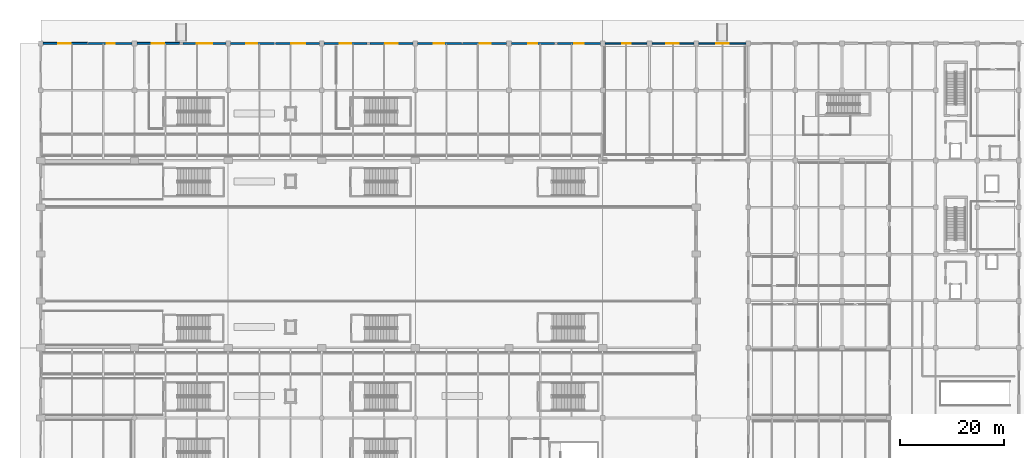
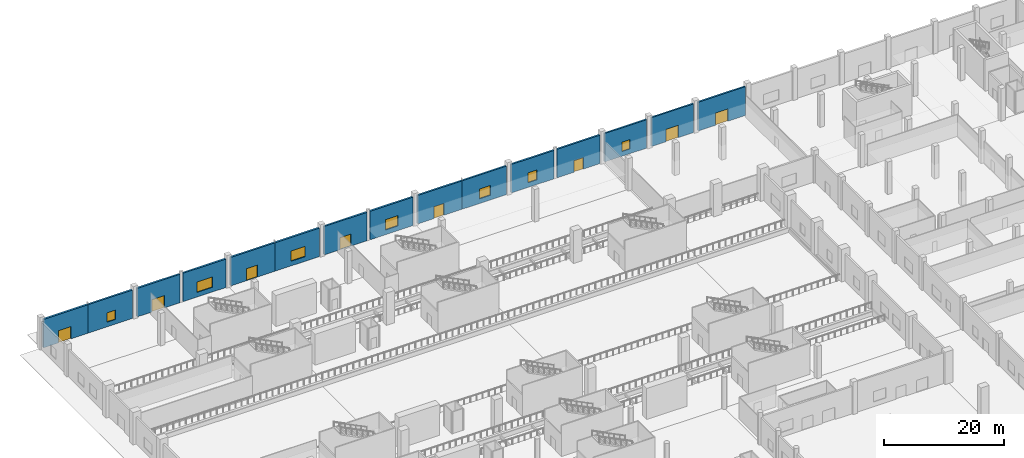
# One storey, part 28 of 65: 15 walls, 8 doors, 7 windows, 15 openings.
"""IFC4 building model written with IfcOpenShell, lengths in metres."""

import ifcopenshell
import ifcopenshell.guid

model = None  # the IFC model being written
_history = None  # IfcOwnerHistory: only IFC2X3 demands one
_inside = {}  # id of a spatial element -> (the spatial element, [elements in it])
_under = {}  # id of a project, library or spatial element -> (it, [spatial elements below it])
_declared = {}  # id of a project -> (the project, [libraries it declares])
_typed = {}  # id of a type object -> (the type object, [elements of that type])
_made_of = {}  # id of a material, layer set ... -> (it, [elements and type objects made of it])


def new_model(schema):
    """Start an empty IFC model of exactly this schema.

    Asked for "IFC4X3", IfcOpenShell would pick the latest addendum, in which some entities
    have other attributes; the version numbers below select the first issue.
    IFC2X3 requires an IfcOwnerHistory on every rooted entity: one is made here for all.
    """
    global model, _history
    if schema == "IFC4X3":
        model = ifcopenshell.file(schema_version=(4, 3, 0, 0))
    else:
        model = ifcopenshell.file(schema=schema)
    _inside.clear()
    _under.clear()
    _declared.clear()
    _typed.clear()
    _made_of.clear()
    _history = None
    if model.schema == "IFC2X3":
        org = make("IfcOrganization", Name="unknown")
        user = make(
            "IfcPersonAndOrganization",
            ThePerson=make("IfcPerson", FamilyName="unknown"),
            TheOrganization=org,
        )
        app = make(
            "IfcApplication",
            ApplicationDeveloper=org,
            Version="unknown",
            ApplicationFullName="unknown",
            ApplicationIdentifier="unknown",
        )
        _history = make(
            "IfcOwnerHistory",
            OwningUser=user,
            OwningApplication=app,
            ChangeAction="ADDED",
            CreationDate=0,
        )
    return model


def make(cls, **values):
    """One entity of the class cls with the attributes given. An attribute that is None is left unset."""
    return model.create_entity(
        cls, **{name: value for name, value in values.items() if value is not None}
    )


def rooted(cls, **values):
    """An entity with a GlobalId (a new one), such as an element, a storey or a relation."""
    return make(cls, GlobalId=ifcopenshell.guid.new(), OwnerHistory=_history, **values)


def si_unit(unit_type, name, prefix=None):
    """IfcSIUnit, for example si_unit("LENGTHUNIT", "METRE", prefix="MILLI")."""
    return make("IfcSIUnit", UnitType=unit_type, Prefix=prefix, Name=name)


def assignment(units):
    """IfcUnitAssignment: the units of a project."""
    return None if units is None else make("IfcUnitAssignment", Units=units)


def point(xyz):
    """IfcCartesianPoint."""
    return None if xyz is None else make("IfcCartesianPoint", Coordinates=xyz)


def direction(xyz):
    """IfcDirection."""
    return None if xyz is None else make("IfcDirection", DirectionRatios=xyz)


def frame(location, z_axis=None, x_axis=None):
    """IfcAxis2Placement3D, a coordinate frame: its origin and axes. An axis left out is left unset."""
    return make(
        "IfcAxis2Placement3D",
        Location=point(location),
        Axis=direction(z_axis),
        RefDirection=direction(x_axis),
    )


def frame_2d(location, x_axis=None):
    """IfcAxis2Placement2D, a coordinate frame in the plane: its origin and x axis."""
    return make(
        "IfcAxis2Placement2D", Location=point(location), RefDirection=direction(x_axis)
    )


def origin():
    """The frame at (0, 0, 0) with its axes left unset."""
    return frame((0.0, 0.0, 0.0))


def place(relative_to, where):
    """IfcLocalPlacement: puts the frame where relative to a parent placement (None: the world)."""
    return make(
        "IfcLocalPlacement", PlacementRelTo=relative_to, RelativePlacement=where
    )


def context(
    kind, dimensions, precision=None, world=None, true_north=None, identifier=None
):
    """IfcGeometricRepresentationContext, for example the 3D "Model" context."""
    return make(
        "IfcGeometricRepresentationContext",
        ContextIdentifier=identifier,
        ContextType=kind,
        CoordinateSpaceDimension=dimensions,
        Precision=precision,
        WorldCoordinateSystem=world,
        TrueNorth=true_north,
    )


def subcontext(parent, identifier, kind, view, scale=None):
    """IfcGeometricRepresentationSubContext, for example "Body" below "Model"."""
    return make(
        "IfcGeometricRepresentationSubContext",
        ContextIdentifier=identifier,
        ContextType=kind,
        ParentContext=parent,
        TargetScale=scale,
        TargetView=view,
    )


def project(units=None, contexts=None):
    """IfcProject with its units and contexts."""
    return rooted(
        "IfcProject",
        Name="project",
        RepresentationContexts=contexts,
        UnitsInContext=assignment(units),
    )


def spatial(cls, under=None, at=None, **own):
    """A site, building, storey or space (cls), placed at a placement, below another one or the project."""
    s = rooted(cls, ObjectPlacement=at, **own)
    if under is not None:
        _under.setdefault(under.id(), (under, []))[1].append(s)
    return s


def profile(cls, at=None, kind="AREA", **sizes):
    """A parametric profile (cls). Its sizes go by their IFC names, for example OverallWidth=200.0."""
    return make(cls, ProfileType=kind, Position=at, **sizes)


def rectangle(**sizes):
    """IfcRectangleProfileDef."""
    return profile("IfcRectangleProfileDef", **sizes)


def extrude(swept, where, along, depth):
    """IfcExtrudedAreaSolid: the profile swept, set in the frame where, extruded along a direction by depth."""
    return make(
        "IfcExtrudedAreaSolid",
        SweptArea=swept,
        Position=where,
        ExtrudedDirection=direction(along),
        Depth=depth,
    )


def shape(context_of_items, identifier, shape_type, items):
    """IfcShapeRepresentation: the items that make up one representation, for example the "Body"."""
    return make(
        "IfcShapeRepresentation",
        ContextOfItems=context_of_items,
        RepresentationIdentifier=identifier,
        RepresentationType=shape_type,
        Items=items,
    )


def material(Name=None, Category=None):
    """IfcMaterial."""
    return make("IfcMaterial", Name=Name, Category=Category)


def layer(
    of_material, thickness, ventilated=None, Name=None, Category=None, Priority=None
):
    """IfcMaterialLayer: one layer of a wall or slab, of a material (None: an air gap)."""
    return make(
        "IfcMaterialLayer",
        Material=of_material,
        LayerThickness=thickness,
        IsVentilated=ventilated,
        Name=Name,
        Category=Category,
        Priority=Priority,
    )


def layer_set(layers, Name=None):
    """IfcMaterialLayerSet."""
    return make("IfcMaterialLayerSet", MaterialLayers=layers, LayerSetName=Name)


def made_of(thing, what):
    """Note that an element or type object is made of a material, layer set ...; save() writes the relation."""
    if what is not None:
        _made_of.setdefault(what.id(), (what, []))[1].append(thing)
    return thing


def type_object(cls, material=None, **own):
    """A type object (cls), such as IfcWallType, which elements share."""
    return made_of(rooted(cls, **own), material)


def element(
    cls,
    number,
    at=None,
    inside=None,
    cuts=None,
    type_object=None,
    material=None,
    context=None,
    identifier="Body",
    shape_type=None,
    held_by="IfcProductDefinitionShape",
    body=None,
    shapes=None,
    **own,
):
    """One element of the class cls, such as IfcWall. Its Tag is "e" and its number.

    at: its placement. inside: the storey or other place that contains it. cuts: it is an
    opening in that element (IfcRelVoidsElement). A single representation is given by context,
    identifier, shape_type and body (its items); several are given by shapes. held_by: the class
    of the entity that holds the representations. save() writes the other relations.
    """
    e = rooted(cls, Tag="e%d" % number, ObjectPlacement=at, **own)
    if body is not None:
        shapes = [shape(context, identifier, shape_type, body)]
    if shapes is not None:
        e.Representation = make(held_by, Representations=shapes)
    if inside is not None:
        _inside.setdefault(inside.id(), (inside, []))[1].append(e)
    if cuts is not None:
        rooted(
            "IfcRelVoidsElement", RelatingBuildingElement=cuts, RelatedOpeningElement=e
        )
    if type_object is not None:
        _typed.setdefault(type_object.id(), (type_object, []))[1].append(e)
    return made_of(e, material)


def fill(opening, filler):
    """IfcRelFillsElement: the door or window that sits in an opening."""
    return rooted(
        "IfcRelFillsElement",
        RelatingOpeningElement=opening,
        RelatedBuildingElement=filler,
    )


def aggregate(whole, parts):
    """IfcRelAggregates: a whole, such as a stair, and the parts it consists of."""
    return rooted("IfcRelAggregates", RelatingObject=whole, RelatedObjects=parts)


def save(model, path):
    """Write the relations noted so far, then the file.

    IfcRelAggregates (storeys below a building ...), IfcRelContainedInSpatialStructure (elements
    in a storey), IfcRelDefinesByType, IfcRelAssociatesMaterial and IfcRelDeclares: one each for
    every whole, place, type object, material and project.
    """
    for whole, parts in _under.values():
        aggregate(whole, parts)
    for where, things in _inside.values():
        rooted(
            "IfcRelContainedInSpatialStructure",
            RelatedElements=things,
            RelatingStructure=where,
        )
    for kind, things in _typed.values():
        rooted("IfcRelDefinesByType", RelatedObjects=things, RelatingType=kind)
    for what, things in _made_of.values():
        rooted("IfcRelAssociatesMaterial", RelatedObjects=things, RelatingMaterial=what)
    for by, libraries in _declared.values():
        rooted("IfcRelDeclares", RelatingContext=by, RelatedDefinitions=libraries)
    model.write(path)


model = new_model("IFC4")

# Units and contexts
model_context = context("Model", 3, precision=1e-05, world=origin(), true_north=direction((0.0, 1.0)))
body_context = subcontext(model_context, "Body", "Model", "MODEL_VIEW")
ifc_project = project(units=[si_unit("LENGTHUNIT", "METRE"), si_unit("AREAUNIT", "SQUARE_METRE"), si_unit("VOLUMEUNIT", "CUBIC_METRE"), si_unit("PLANEANGLEUNIT", "RADIAN"), si_unit("MASSUNIT", "GRAM", prefix="KILO")], contexts=[model_context])

# Site, building, storey
site_placement = place(None, origin())
site = spatial("IfcSite", under=ifc_project, at=site_placement, CompositionType="ELEMENT")
building_placement = place(site_placement, origin())
building = spatial("IfcBuilding", under=site, at=building_placement, Name="Chuanluo Vaults Station", CompositionType="ELEMENT")
storey_placement = place(building_placement, origin())
storey = spatial("IfcBuildingStorey", under=building, at=storey_placement, Name="L00", CompositionType="ELEMENT", Elevation=0.0)

# Wall, opening, window
ifc_material_1 = material(Name="Concrete C40", Category="concrete")
ifc_layer_1 = layer(ifc_material_1, 0.320068359375)
ifc_layer_set_1 = layer_set([ifc_layer_1], Name="Concrete C40")
wall_type_1 = type_object("IfcWallType", Name="WL-EXT-320", PredefinedType="SOLIDWALL", material=ifc_layer_set_1)
wall_1_placement = place(storey_placement, frame((108.449951171875, 126.0, 0.0), z_axis=(0.0, 0.0, 1.0), x_axis=(1.0, 0.0, 0.0)))
wall_1 = element("IfcWall", 1, at=wall_1_placement, inside=storey, type_object=wall_type_1, Name="North streetwall 7A", PredefinedType="SOLIDWALL", context=body_context, shape_type="SweptSolid", body=[
    extrude(rectangle(XDim=8.10009765625, YDim=0.320068359375, at=frame_2d((4.050048828125, 0.0))), origin(), (0.0, 0.0, 1.0), 5.7900390625),
])
opening_1_placement = place(wall_1_placement, frame((3.300048828125, 0.0, 0.949951171875)))
opening_1 = element("IfcOpeningElement", 2, at=opening_1_placement, cuts=wall_1, Name="Opening W-21", PredefinedType="OPENING", context=body_context, shape_type="SweptSolid", body=[
    extrude(rectangle(XDim=1.60009765625, YDim=1.89990234375, at=frame_2d((0.800048828125, 0.949951171875))), frame((0.0, 0.17016, 0.0), z_axis=(0.0, -1.0, 0.0), x_axis=(1.0, 0.0, 0.0)), (0.0, 0.0, 1.0), 0.34007),
])
ifc_material_2 = material(Name="Double-silver Low-E laminated glass", Category="glass")
window_type_1 = type_object("IfcWindowType", Name="WN-RET-1600x1900", PartitioningType="SINGLE_PANEL", PredefinedType="WINDOW", material=ifc_material_2)
window_1_placement = place(opening_1_placement, origin())
window_1 = element("IfcWindow", 3, at=window_1_placement, inside=storey, type_object=window_type_1, Name="W-030 Ground streetwall window", OverallHeight=1.89990234375, OverallWidth=1.60009765625, PartitioningType="SINGLE_PANEL", PredefinedType="WINDOW", context=body_context, shape_type="SweptSolid", body=[
    extrude(rectangle(XDim=1.60009765625, YDim=1.89990234375, at=frame_2d((0.800048828125, 0.949951171875))), frame((0.0, 0.030029296875, 0.0), z_axis=(0.0, -1.0, 0.0), x_axis=(1.0, 0.0, 0.0)), (0.0, 0.0, 1.0), 0.06005859375),
])
fill(opening_1, window_1)

# Wall, opening, door
wall_2_placement = place(storey_placement, frame((117.449951171875, 126.0, 0.0), z_axis=(0.0, 0.0, 1.0), x_axis=(1.0, 0.0, 0.0)))
wall_2 = element("IfcWall", 4, at=wall_2_placement, inside=storey, type_object=wall_type_1, Name="North streetwall 7B", PredefinedType="SOLIDWALL", context=body_context, shape_type="SweptSolid", body=[
    extrude(rectangle(XDim=8.10009765625, YDim=0.320068359375, at=frame_2d((4.050048828125, 0.0))), origin(), (0.0, 0.0, 1.0), 5.85498046875),
])
opening_2_placement = place(wall_2_placement, frame((2.800048828125, 0.0, 0.0)))
opening_2 = element("IfcOpeningElement", 5, at=opening_2_placement, cuts=wall_2, Name="Opening D-E04", PredefinedType="OPENING", context=body_context, shape_type="SweptSolid", body=[
    extrude(rectangle(XDim=2.39990234375, YDim=2.5, at=frame_2d((1.199951171875, 1.25))), frame((0.0, 0.17016, 0.0), z_axis=(0.0, -1.0, 0.0), x_axis=(1.0, 0.0, 0.0)), (0.0, 0.0, 1.0), 0.34007),
])
ifc_material_3 = material(Name="Anodised aluminium 6063-T6", Category="aluminium")
door_type_1 = type_object("IfcDoorType", Name="DR-EXT-2400x2500", OperationType="NOTDEFINED", PredefinedType="DOOR", material=ifc_material_3)
door_1_placement = place(opening_2_placement, origin())
door_1 = element("IfcDoor", 6, at=door_1_placement, inside=storey, type_object=door_type_1, Name="D-029 North streetwall 7B exit door", OperationType="SINGLE_SWING_LEFT", OverallHeight=2.5, OverallWidth=2.39990234375, PredefinedType="DOOR", context=body_context, shape_type="SweptSolid", body=[
    extrude(rectangle(XDim=2.39990234375, YDim=2.5, at=frame_2d((1.199951171875, 1.25))), frame((0.0, 0.02490234375, 0.0), z_axis=(0.0, -1.0, 0.0), x_axis=(1.0, 0.0, 0.0)), (0.0, 0.0, 1.0), 0.050048828125),
])
fill(opening_2, door_1)

wall_3_placement = place(storey_placement, frame((126.449951171875, 126.0, 0.0), z_axis=(0.0, 0.0, 1.0), x_axis=(1.0, 0.0, 0.0)))
wall_3 = element("IfcWall", 7, at=wall_3_placement, inside=storey, type_object=wall_type_1, Name="North passage header wall", PredefinedType="SOLIDWALL", context=body_context, shape_type="SweptSolid", body=[
    extrude(rectangle(XDim=9.10009765625, YDim=0.320068359375, at=frame_2d((4.550048828125, 0.0))), origin(), (0.0, 0.0, 1.0), 5.85498046875),
])
opening_3_placement = place(wall_3_placement, frame((3.35009765625, 0.0, 0.0)))
opening_3 = element("IfcOpeningElement", 8, at=opening_3_placement, cuts=wall_3, Name="Opening D-E04", PredefinedType="OPENING", context=body_context, shape_type="SweptSolid", body=[
    extrude(rectangle(XDim=2.39990234375, YDim=2.5, at=frame_2d((1.199951171875, 1.25))), frame((0.0, 0.17016, 0.0), z_axis=(0.0, -1.0, 0.0), x_axis=(1.0, 0.0, 0.0)), (0.0, 0.0, 1.0), 0.34007),
])
door_2_placement = place(opening_3_placement, origin())
door_2 = element("IfcDoor", 9, at=door_2_placement, inside=storey, type_object=door_type_1, Name="D-030 North passage header wall exit door", OperationType="SINGLE_SWING_RIGHT", OverallHeight=2.5, OverallWidth=2.39990234375, PredefinedType="DOOR", context=body_context, shape_type="SweptSolid", body=[
    extrude(rectangle(XDim=2.39990234375, YDim=2.5, at=frame_2d((1.199951171875, 1.25))), frame((0.0, 0.02490234375, 0.0), z_axis=(0.0, -1.0, 0.0), x_axis=(1.0, 0.0, 0.0)), (0.0, 0.0, 1.0), 0.050048828125),
])
fill(opening_3, door_2)

ifc_material_4 = material(Name="Concrete C50", Category="concrete")
ifc_layer_2 = layer(ifc_material_4, 0.340087890625)
ifc_layer_set_2 = layer_set([ifc_layer_2], Name="Concrete C50")
wall_type_2 = type_object("IfcWallType", Name="WL-EXT-340", PredefinedType="SOLIDWALL", material=ifc_layer_set_2)
wall_4_placement = place(storey_placement, frame((72.449951171875, 126.0, 0.0), z_axis=(0.0, 0.0, 1.0), x_axis=(1.0, 0.0, 0.0)))
wall_4 = element("IfcWall", 10, at=wall_4_placement, inside=storey, type_object=wall_type_2, Name="North streetwall 5A", PredefinedType="SOLIDWALL", context=body_context, shape_type="SweptSolid", body=[
    extrude(rectangle(XDim=8.546142578125, YDim=0.340087890625, at=frame_2d((4.27294921875, 0.0))), origin(), (0.0, 0.0, 1.0), 5.7900390625),
])
opening_4_placement = place(wall_4_placement, frame((3.10009765625, 0.0, 0.0)))
opening_4 = element("IfcOpeningElement", 11, at=opening_4_placement, cuts=wall_4, Name="Opening D-E06", PredefinedType="OPENING", context=body_context, shape_type="SweptSolid", body=[
    extrude(rectangle(XDim=2.0, YDim=2.39990234375, at=frame_2d((1.0, 1.199951171875))), frame((0.0, 0.17992, 0.0), z_axis=(0.0, -1.0, 0.0), x_axis=(1.0, 0.0, 0.0)), (0.0, 0.0, 1.0), 0.36009),
])
ifc_material_5 = material(Name="Anodised aluminium 6063-T6", Category="aluminium")
door_type_2 = type_object("IfcDoorType", Name="DR-EXT-2000x2400", OperationType="NOTDEFINED", PredefinedType="DOOR", material=ifc_material_5)
door_3_placement = place(opening_4_placement, origin())
door_3 = element("IfcDoor", 12, at=door_3_placement, inside=storey, type_object=door_type_2, Name="D-027 North streetwall 5A exit door", OperationType="SINGLE_SWING_LEFT", OverallHeight=2.39990234375, OverallWidth=2.0, PredefinedType="DOOR", context=body_context, shape_type="SweptSolid", body=[
    extrude(rectangle(XDim=2.0, YDim=2.39990234375, at=frame_2d((1.0, 1.199951171875))), frame((0.0, 0.02490234375, 0.0), z_axis=(0.0, -1.0, 0.0), x_axis=(1.0, 0.0, 0.0)), (0.0, 0.0, 1.0), 0.050048828125),
])
fill(opening_4, door_3)

# Wall, opening, window
wall_5_placement = place(storey_placement, frame((81.00390625, 126.0, 0.0), z_axis=(0.0, 0.0, 1.0), x_axis=(1.0, 0.0, 0.0)))
wall_5 = element("IfcWall", 13, at=wall_5_placement, inside=storey, type_object=wall_type_2, Name="North streetwall 5B", PredefinedType="SOLIDWALL", context=body_context, shape_type="SweptSolid", body=[
    extrude(rectangle(XDim=8.546142578125, YDim=0.340087890625, at=frame_2d((4.27294921875, 0.0))), origin(), (0.0, 0.0, 1.0), 5.7900390625),
])
opening_5_placement = place(wall_5_placement, frame((3.39599609375, 0.0, 0.949951171875)))
opening_5 = element("IfcOpeningElement", 14, at=opening_5_placement, cuts=wall_5, Name="Opening W-19", PredefinedType="OPENING", context=body_context, shape_type="SweptSolid", body=[
    extrude(rectangle(XDim=2.10009765625, YDim=2.0, at=frame_2d((1.050048828125, 1.0))), frame((0.0, 0.17992, 0.0), z_axis=(0.0, -1.0, 0.0), x_axis=(1.0, 0.0, 0.0)), (0.0, 0.0, 1.0), 0.36009),
])
ifc_material_6 = material(Name="Double-silver Low-E laminated glass", Category="glass")
window_type_2 = type_object("IfcWindowType", Name="WN-RET-2100x2000", PartitioningType="SINGLE_PANEL", PredefinedType="WINDOW", material=ifc_material_6)
window_2_placement = place(opening_5_placement, origin())
window_2 = element("IfcWindow", 15, at=window_2_placement, inside=storey, type_object=window_type_2, Name="W-028 Ground streetwall window", OverallHeight=2.0, OverallWidth=2.10009765625, PartitioningType="SINGLE_PANEL", PredefinedType="WINDOW", context=body_context, shape_type="SweptSolid", body=[
    extrude(rectangle(XDim=2.10009765625, YDim=2.0, at=frame_2d((1.050048828125, 1.0))), frame((0.0, 0.030029296875, 0.0), z_axis=(0.0, -1.0, 0.0), x_axis=(1.0, 0.0, 0.0)), (0.0, 0.0, 1.0), 0.06005859375),
])
fill(opening_5, window_2)

wall_6_placement = place(storey_placement, frame((90.449951171875, 126.0, 0.0), z_axis=(0.0, 0.0, 1.0), x_axis=(1.0, 0.0, 0.0)))
wall_6 = element("IfcWall", 16, at=wall_6_placement, inside=storey, type_object=wall_type_2, Name="North streetwall 6A", PredefinedType="SOLIDWALL", context=body_context, shape_type="SweptSolid", body=[
    extrude(rectangle(XDim=8.25, YDim=0.340087890625, at=frame_2d((4.125, 0.0))), origin(), (0.0, 0.0, 1.0), 5.7900390625),
])
opening_6_placement = place(wall_6_placement, frame((3.199951171875, 0.0, 0.949951171875)))
opening_6 = element("IfcOpeningElement", 17, at=opening_6_placement, cuts=wall_6, Name="Opening W-20", PredefinedType="OPENING", context=body_context, shape_type="SweptSolid", body=[
    extrude(rectangle(XDim=1.800048828125, YDim=2.0, at=frame_2d((0.89990234375, 1.0))), frame((0.0, 0.17992, 0.0), z_axis=(0.0, -1.0, 0.0), x_axis=(1.0, 0.0, 0.0)), (0.0, 0.0, 1.0), 0.36009),
])
ifc_material_7 = material(Name="Double-silver Low-E laminated glass", Category="glass")
window_type_3 = type_object("IfcWindowType", Name="WN-RET-1800x2000", PartitioningType="SINGLE_PANEL", PredefinedType="WINDOW", material=ifc_material_7)
window_3_placement = place(opening_6_placement, origin())
window_3 = element("IfcWindow", 18, at=window_3_placement, inside=storey, type_object=window_type_3, Name="W-029 Ground streetwall window", OverallHeight=2.0, OverallWidth=1.800048828125, PartitioningType="SINGLE_PANEL", PredefinedType="WINDOW", context=body_context, shape_type="SweptSolid", body=[
    extrude(rectangle(XDim=1.800048828125, YDim=2.0, at=frame_2d((0.89990234375, 1.0))), frame((0.0, 0.030029296875, 0.0), z_axis=(0.0, -1.0, 0.0), x_axis=(1.0, 0.0, 0.0)), (0.0, 0.0, 1.0), 0.06005859375),
])
fill(opening_6, window_3)

# Wall, opening, door
wall_7_placement = place(storey_placement, frame((99.300048828125, 126.0, 0.0), z_axis=(0.0, 0.0, 1.0), x_axis=(1.0, 0.0, 0.0)))
wall_7 = element("IfcWall", 19, at=wall_7_placement, inside=storey, type_object=wall_type_2, Name="North streetwall 6B", PredefinedType="SOLIDWALL", context=body_context, shape_type="SweptSolid", body=[
    extrude(rectangle(XDim=8.25, YDim=0.340087890625, at=frame_2d((4.125, 0.0))), origin(), (0.0, 0.0, 1.0), 5.7900390625),
])
opening_7_placement = place(wall_7_placement, frame((3.25, 0.0, 0.0)))
opening_7 = element("IfcOpeningElement", 20, at=opening_7_placement, cuts=wall_7, Name="Opening D-E07", PredefinedType="OPENING", context=body_context, shape_type="SweptSolid", body=[
    extrude(rectangle(XDim=1.800048828125, YDim=2.35009765625, at=frame_2d((0.89990234375, 1.175048828125))), frame((0.0, 0.17992, 0.0), z_axis=(0.0, -1.0, 0.0), x_axis=(1.0, 0.0, 0.0)), (0.0, 0.0, 1.0), 0.36009),
])
ifc_material_8 = material(Name="Anodised aluminium 6063-T6", Category="aluminium")
door_type_3 = type_object("IfcDoorType", Name="DR-EXT-1800x2350", OperationType="NOTDEFINED", PredefinedType="DOOR", material=ifc_material_8)
door_4_placement = place(opening_7_placement, origin())
door_4 = element("IfcDoor", 21, at=door_4_placement, inside=storey, type_object=door_type_3, Name="D-028 North streetwall 6B exit door", OperationType="SINGLE_SWING_RIGHT", OverallHeight=2.35009765625, OverallWidth=1.800048828125, PredefinedType="DOOR", context=body_context, shape_type="SweptSolid", body=[
    extrude(rectangle(XDim=1.800048828125, YDim=2.35009765625, at=frame_2d((0.89990234375, 1.175048828125))), frame((0.0, 0.02490234375, 0.0), z_axis=(0.0, -1.0, 0.0), x_axis=(1.0, 0.0, 0.0)), (0.0, 0.0, 1.0), 0.050048828125),
])
fill(opening_7, door_4)

ifc_material_9 = material(Name="Concrete C50", Category="concrete")
ifc_layer_3 = layer(ifc_material_9, 0.360107421875)
ifc_layer_set_3 = layer_set([ifc_layer_3], Name="Concrete C50")
wall_type_3 = type_object("IfcWallType", Name="WL-EXT-360", PredefinedType="SOLIDWALL", material=ifc_layer_set_3)
wall_8_placement = place(storey_placement, frame((0.449951171875, 126.0, 0.0), z_axis=(0.0, 0.0, 1.0), x_axis=(1.0, 0.0, 0.0)))
wall_8 = element("IfcWall", 22, at=wall_8_placement, inside=storey, type_object=wall_type_3, Name="North streetwall 1A", PredefinedType="SOLIDWALL", context=body_context, shape_type="SweptSolid", body=[
    extrude(rectangle(XDim=8.546142578125, YDim=0.360107421875, at=frame_2d((4.27294921875, 0.0))), origin(), (0.0, 0.0, 1.0), 5.7900390625),
])
opening_8_placement = place(wall_8_placement, frame((2.89990234375, 0.0, 0.0)))
opening_8 = element("IfcOpeningElement", 23, at=opening_8_placement, cuts=wall_8, Name="Opening D-E04", PredefinedType="OPENING", context=body_context, shape_type="SweptSolid", body=[
    extrude(rectangle(XDim=2.39990234375, YDim=2.5, at=frame_2d((1.199951171875, 1.25))), frame((0.0, 0.19018, 0.0), z_axis=(0.0, -1.0, 0.0), x_axis=(1.0, 0.0, 0.0)), (0.0, 0.0, 1.0), 0.38011),
])
door_5_placement = place(opening_8_placement, origin())
door_5 = element("IfcDoor", 24, at=door_5_placement, inside=storey, type_object=door_type_1, Name="D-023 North streetwall 1A exit door", OperationType="SINGLE_SWING_LEFT", OverallHeight=2.5, OverallWidth=2.39990234375, PredefinedType="DOOR", context=body_context, shape_type="SweptSolid", body=[
    extrude(rectangle(XDim=2.39990234375, YDim=2.5, at=frame_2d((1.199951171875, 1.25))), frame((0.0, 0.02490234375, 0.0), z_axis=(0.0, -1.0, 0.0), x_axis=(1.0, 0.0, 0.0)), (0.0, 0.0, 1.0), 0.050048828125),
])
fill(opening_8, door_5)

# Wall, opening, window
wall_9_placement = place(storey_placement, frame((9.00390625, 126.0, 0.0), z_axis=(0.0, 0.0, 1.0), x_axis=(1.0, 0.0, 0.0)))
wall_9 = element("IfcWall", 25, at=wall_9_placement, inside=storey, type_object=wall_type_3, Name="North streetwall 1B", PredefinedType="SOLIDWALL", context=body_context, shape_type="SweptSolid", body=[
    extrude(rectangle(XDim=8.546142578125, YDim=0.360107421875, at=frame_2d((4.27294921875, 0.0))), origin(), (0.0, 0.0, 1.0), 5.7900390625),
])
opening_9_placement = place(wall_9_placement, frame((3.64599609375, 0.0, 0.949951171875)))
opening_9 = element("IfcOpeningElement", 26, at=opening_9_placement, cuts=wall_9, Name="Opening W-21", PredefinedType="OPENING", context=body_context, shape_type="SweptSolid", body=[
    extrude(rectangle(XDim=1.60009765625, YDim=1.89990234375, at=frame_2d((0.800048828125, 0.949951171875))), frame((0.0, 0.19018, 0.0), z_axis=(0.0, -1.0, 0.0), x_axis=(1.0, 0.0, 0.0)), (0.0, 0.0, 1.0), 0.38011),
])
window_4_placement = place(opening_9_placement, origin())
window_4 = element("IfcWindow", 27, at=window_4_placement, inside=storey, type_object=window_type_1, Name="W-024 Ground streetwall window", OverallHeight=1.89990234375, OverallWidth=1.60009765625, PartitioningType="SINGLE_PANEL", PredefinedType="WINDOW", context=body_context, shape_type="SweptSolid", body=[
    extrude(rectangle(XDim=1.60009765625, YDim=1.89990234375, at=frame_2d((0.800048828125, 0.949951171875))), frame((0.0, 0.030029296875, 0.0), z_axis=(0.0, -1.0, 0.0), x_axis=(1.0, 0.0, 0.0)), (0.0, 0.0, 1.0), 0.06005859375),
])
fill(opening_9, window_4)

# Wall, opening, door
wall_10_placement = place(storey_placement, frame((18.449951171875, 126.0, 0.0), z_axis=(0.0, 0.0, 1.0), x_axis=(1.0, 0.0, 0.0)))
wall_10 = element("IfcWall", 28, at=wall_10_placement, inside=storey, type_object=wall_type_3, Name="North streetwall 2A", PredefinedType="SOLIDWALL", context=body_context, shape_type="SweptSolid", body=[
    extrude(rectangle(XDim=8.25, YDim=0.360107421875, at=frame_2d((4.125, 0.0))), origin(), (0.0, 0.0, 1.0), 5.7900390625),
])
opening_10_placement = place(wall_10_placement, frame((2.89990234375, 0.0, 0.0)))
opening_10 = element("IfcOpeningElement", 29, at=opening_10_placement, cuts=wall_10, Name="Opening D-E04", PredefinedType="OPENING", context=body_context, shape_type="SweptSolid", body=[
    extrude(rectangle(XDim=2.39990234375, YDim=2.5, at=frame_2d((1.199951171875, 1.25))), frame((0.0, 0.19018, 0.0), z_axis=(0.0, -1.0, 0.0), x_axis=(1.0, 0.0, 0.0)), (0.0, 0.0, 1.0), 0.38011),
])
door_6_placement = place(opening_10_placement, origin())
door_6 = element("IfcDoor", 30, at=door_6_placement, inside=storey, type_object=door_type_1, Name="D-024 North streetwall 2A exit door", OperationType="SINGLE_SWING_RIGHT", OverallHeight=2.5, OverallWidth=2.39990234375, PredefinedType="DOOR", context=body_context, shape_type="SweptSolid", body=[
    extrude(rectangle(XDim=2.39990234375, YDim=2.5, at=frame_2d((1.199951171875, 1.25))), frame((0.0, 0.02490234375, 0.0), z_axis=(0.0, -1.0, 0.0), x_axis=(1.0, 0.0, 0.0)), (0.0, 0.0, 1.0), 0.050048828125),
])
fill(opening_10, door_6)

# Wall, opening, window
wall_11_placement = place(storey_placement, frame((27.300048828125, 126.0, 0.0), z_axis=(0.0, 0.0, 1.0), x_axis=(1.0, 0.0, 0.0)))
wall_11 = element("IfcWall", 31, at=wall_11_placement, inside=storey, type_object=wall_type_3, Name="North streetwall 2B", PredefinedType="SOLIDWALL", context=body_context, shape_type="SweptSolid", body=[
    extrude(rectangle(XDim=8.25, YDim=0.360107421875, at=frame_2d((4.125, 0.0))), origin(), (0.0, 0.0, 1.0), 5.7900390625),
])
opening_11_placement = place(wall_11_placement, frame((2.64990234375, 0.0, 0.949951171875)))
opening_11 = element("IfcOpeningElement", 32, at=opening_11_placement, cuts=wall_11, Name="Opening W-16", PredefinedType="OPENING", context=body_context, shape_type="SweptSolid", body=[
    extrude(rectangle(XDim=3.0, YDim=2.10009765625, at=frame_2d((1.5, 1.050048828125))), frame((0.0, 0.19018, 0.0), z_axis=(0.0, -1.0, 0.0), x_axis=(1.0, 0.0, 0.0)), (0.0, 0.0, 1.0), 0.38011),
])
ifc_material_10 = material(Name="Double-silver Low-E laminated glass", Category="glass")
window_type_4 = type_object("IfcWindowType", Name="WN-RET-3000x2100", PartitioningType="SINGLE_PANEL", PredefinedType="WINDOW", material=ifc_material_10)
window_5_placement = place(opening_11_placement, origin())
window_5 = element("IfcWindow", 33, at=window_5_placement, inside=storey, type_object=window_type_4, Name="W-025 Ground streetwall window", OverallHeight=2.10009765625, OverallWidth=3.0, PartitioningType="SINGLE_PANEL", PredefinedType="WINDOW", context=body_context, shape_type="SweptSolid", body=[
    extrude(rectangle(XDim=3.0, YDim=2.10009765625, at=frame_2d((1.5, 1.050048828125))), frame((0.0, 0.030029296875, 0.0), z_axis=(0.0, -1.0, 0.0), x_axis=(1.0, 0.0, 0.0)), (0.0, 0.0, 1.0), 0.06005859375),
])
fill(opening_11, window_5)

# Wall, opening, door
wall_12_placement = place(storey_placement, frame((36.449951171875, 126.0, 0.0), z_axis=(0.0, 0.0, 1.0), x_axis=(1.0, 0.0, 0.0)))
wall_12 = element("IfcWall", 34, at=wall_12_placement, inside=storey, type_object=wall_type_3, Name="North streetwall 3A", PredefinedType="SOLIDWALL", context=body_context, shape_type="SweptSolid", body=[
    extrude(rectangle(XDim=8.545654296875, YDim=0.360107421875, at=frame_2d((4.27294921875, 0.0))), origin(), (0.0, 0.0, 1.0), 5.7900390625),
])
opening_12_placement = place(wall_12_placement, frame((3.0, 0.0, 0.0)))
opening_12 = element("IfcOpeningElement", 35, at=opening_12_placement, cuts=wall_12, Name="Opening D-E05", PredefinedType="OPENING", context=body_context, shape_type="SweptSolid", body=[
    extrude(rectangle(XDim=2.199951171875, YDim=2.449951171875, at=frame_2d((1.10009765625, 1.22509765625))), frame((0.0, 0.19018, 0.0), z_axis=(0.0, -1.0, 0.0), x_axis=(1.0, 0.0, 0.0)), (0.0, 0.0, 1.0), 0.38011),
])
ifc_material_11 = material(Name="Anodised aluminium 6063-T6", Category="aluminium")
door_type_4 = type_object("IfcDoorType", Name="DR-EXT-2200x2450", OperationType="NOTDEFINED", PredefinedType="DOOR", material=ifc_material_11)
door_7_placement = place(opening_12_placement, origin())
door_7 = element("IfcDoor", 36, at=door_7_placement, inside=storey, type_object=door_type_4, Name="D-025 North streetwall 3A exit door", OperationType="SINGLE_SWING_LEFT", OverallHeight=2.449951171875, OverallWidth=2.199951171875, PredefinedType="DOOR", context=body_context, shape_type="SweptSolid", body=[
    extrude(rectangle(XDim=2.199951171875, YDim=2.449951171875, at=frame_2d((1.10009765625, 1.22509765625))), frame((0.0, 0.02490234375, 0.0), z_axis=(0.0, -1.0, 0.0), x_axis=(1.0, 0.0, 0.0)), (0.0, 0.0, 1.0), 0.050048828125),
])
fill(opening_12, door_7)

# Wall, opening, window
wall_13_placement = place(storey_placement, frame((45.00439453125, 126.0, 0.0), z_axis=(0.0, 0.0, 1.0), x_axis=(1.0, 0.0, 0.0)))
wall_13 = element("IfcWall", 37, at=wall_13_placement, inside=storey, type_object=wall_type_3, Name="North streetwall 3B", PredefinedType="SOLIDWALL", context=body_context, shape_type="SweptSolid", body=[
    extrude(rectangle(XDim=8.545654296875, YDim=0.360107421875, at=frame_2d((4.27294921875, 0.0))), origin(), (0.0, 0.0, 1.0), 5.7900390625),
])
opening_13_placement = place(wall_13_placement, frame((3.095458984375, 0.0, 0.949951171875)))
opening_13 = element("IfcOpeningElement", 38, at=opening_13_placement, cuts=wall_13, Name="Opening W-17", PredefinedType="OPENING", context=body_context, shape_type="SweptSolid", body=[
    extrude(rectangle(XDim=2.699951171875, YDim=2.10009765625, at=frame_2d((1.35009765625, 1.050048828125))), frame((0.0, 0.19018, 0.0), z_axis=(0.0, -1.0, 0.0), x_axis=(1.0, 0.0, 0.0)), (0.0, 0.0, 1.0), 0.38011),
])
ifc_material_12 = material(Name="Double-silver Low-E laminated glass", Category="glass")
window_type_5 = type_object("IfcWindowType", Name="WN-RET-2700x2100", PartitioningType="SINGLE_PANEL", PredefinedType="WINDOW", material=ifc_material_12)
window_6_placement = place(opening_13_placement, origin())
window_6 = element("IfcWindow", 39, at=window_6_placement, inside=storey, type_object=window_type_5, Name="W-026 Ground streetwall window", OverallHeight=2.10009765625, OverallWidth=2.699951171875, PartitioningType="SINGLE_PANEL", PredefinedType="WINDOW", context=body_context, shape_type="SweptSolid", body=[
    extrude(rectangle(XDim=2.699951171875, YDim=2.10009765625, at=frame_2d((1.35009765625, 1.050048828125))), frame((0.0, 0.030029296875, 0.0), z_axis=(0.0, -1.0, 0.0), x_axis=(1.0, 0.0, 0.0)), (0.0, 0.0, 1.0), 0.06005859375),
])
fill(opening_13, window_6)

# Wall, opening, door
wall_14_placement = place(storey_placement, frame((54.449951171875, 126.0, 0.0), z_axis=(0.0, 0.0, 1.0), x_axis=(1.0, 0.0, 0.0)))
wall_14 = element("IfcWall", 40, at=wall_14_placement, inside=storey, type_object=wall_type_3, Name="North streetwall 4A", PredefinedType="SOLIDWALL", context=body_context, shape_type="SweptSolid", body=[
    extrude(rectangle(XDim=8.25, YDim=0.360107421875, at=frame_2d((4.125, 0.0))), origin(), (0.0, 0.0, 1.0), 5.7900390625),
])
opening_14_placement = place(wall_14_placement, frame((3.0, 0.0, 0.0)))
opening_14 = element("IfcOpeningElement", 41, at=opening_14_placement, cuts=wall_14, Name="Opening D-E05", PredefinedType="OPENING", context=body_context, shape_type="SweptSolid", body=[
    extrude(rectangle(XDim=2.199951171875, YDim=2.449951171875, at=frame_2d((1.10009765625, 1.22509765625))), frame((0.0, 0.19018, 0.0), z_axis=(0.0, -1.0, 0.0), x_axis=(1.0, 0.0, 0.0)), (0.0, 0.0, 1.0), 0.38011),
])
door_8_placement = place(opening_14_placement, origin())
door_8 = element("IfcDoor", 42, at=door_8_placement, inside=storey, type_object=door_type_4, Name="D-026 North streetwall 4A exit door", OperationType="SINGLE_SWING_RIGHT", OverallHeight=2.449951171875, OverallWidth=2.199951171875, PredefinedType="DOOR", context=body_context, shape_type="SweptSolid", body=[
    extrude(rectangle(XDim=2.199951171875, YDim=2.449951171875, at=frame_2d((1.10009765625, 1.22509765625))), frame((0.0, 0.02490234375, 0.0), z_axis=(0.0, -1.0, 0.0), x_axis=(1.0, 0.0, 0.0)), (0.0, 0.0, 1.0), 0.050048828125),
])
fill(opening_14, door_8)

# Wall, opening, window
wall_15_placement = place(storey_placement, frame((63.300048828125, 126.0, 0.0), z_axis=(0.0, 0.0, 1.0), x_axis=(1.0, 0.0, 0.0)))
wall_15 = element("IfcWall", 43, at=wall_15_placement, inside=storey, type_object=wall_type_3, Name="North streetwall 4B", PredefinedType="SOLIDWALL", context=body_context, shape_type="SweptSolid", body=[
    extrude(rectangle(XDim=8.25, YDim=0.360107421875, at=frame_2d((4.125, 0.0))), origin(), (0.0, 0.0, 1.0), 5.7900390625),
])
opening_15_placement = place(wall_15_placement, frame((2.949951171875, 0.0, 0.949951171875)))
opening_15 = element("IfcOpeningElement", 44, at=opening_15_placement, cuts=wall_15, Name="Opening W-18", PredefinedType="OPENING", context=body_context, shape_type="SweptSolid", body=[
    extrude(rectangle(XDim=2.39990234375, YDim=2.10009765625, at=frame_2d((1.199951171875, 1.050048828125))), frame((0.0, 0.19018, 0.0), z_axis=(0.0, -1.0, 0.0), x_axis=(1.0, 0.0, 0.0)), (0.0, 0.0, 1.0), 0.38011),
])
ifc_material_13 = material(Name="Double-silver Low-E laminated glass", Category="glass")
window_type_6 = type_object("IfcWindowType", Name="WN-RET-2400x2100", PartitioningType="SINGLE_PANEL", PredefinedType="WINDOW", material=ifc_material_13)
window_7_placement = place(opening_15_placement, origin())
window_7 = element("IfcWindow", 45, at=window_7_placement, inside=storey, type_object=window_type_6, Name="W-027 Ground streetwall window", OverallHeight=2.10009765625, OverallWidth=2.39990234375, PartitioningType="SINGLE_PANEL", PredefinedType="WINDOW", context=body_context, shape_type="SweptSolid", body=[
    extrude(rectangle(XDim=2.39990234375, YDim=2.10009765625, at=frame_2d((1.199951171875, 1.050048828125))), frame((0.0, 0.030029296875, 0.0), z_axis=(0.0, -1.0, 0.0), x_axis=(1.0, 0.0, 0.0)), (0.0, 0.0, 1.0), 0.06005859375),
])
fill(opening_15, window_7)

save(model, "model.ifc")
